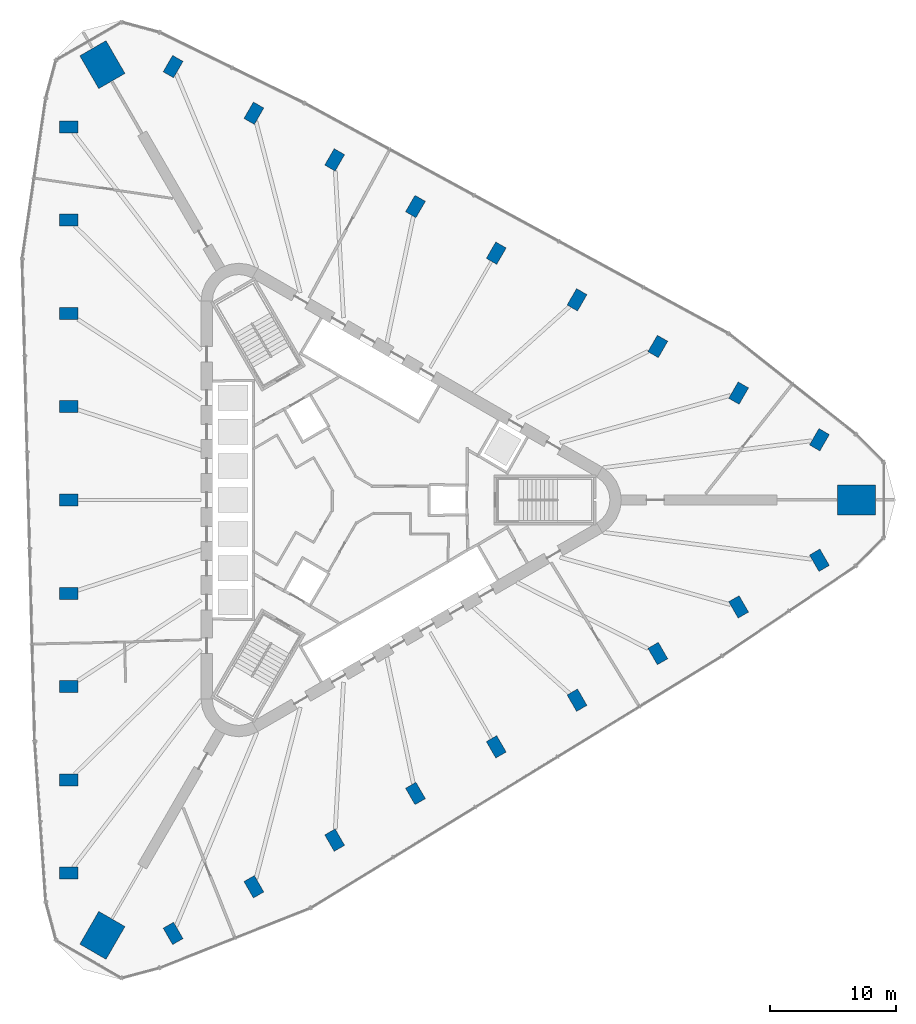
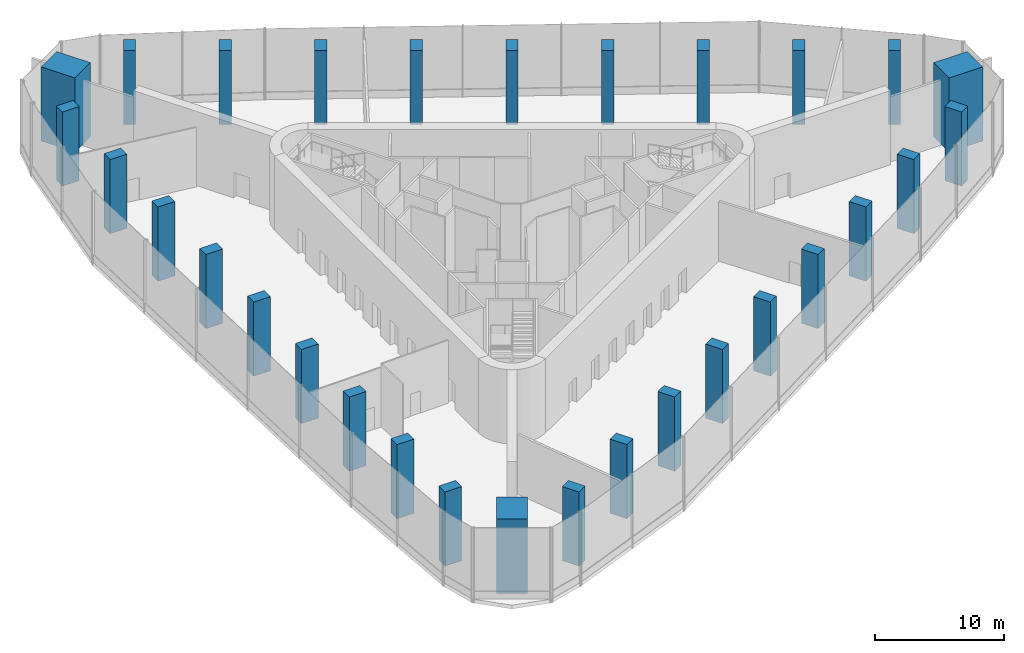
# One storey, part 1 of 15: 30 columns.
"""IFC4 building model written with IfcOpenShell, lengths in metres."""

from ifc_helpers import new_model, si_unit, direction, frame, origin, origin_2d, place, context, subcontext, project, spatial, rectangle, extrude, material, material_profile, profile_set, type_object, element, save


model = new_model("IFC4")

# Units and contexts
model_context = context("Model", 3, precision=1e-05, world=origin(), true_north=direction((0.0, 1.0)))
body_context = subcontext(model_context, "Body", "Model", "MODEL_VIEW")
ifc_project = project(units=[si_unit("LENGTHUNIT", "METRE"), si_unit("AREAUNIT", "SQUARE_METRE"), si_unit("VOLUMEUNIT", "CUBIC_METRE"), si_unit("PLANEANGLEUNIT", "RADIAN"), si_unit("MASSUNIT", "GRAM", prefix="KILO")], contexts=[model_context])

# Site, building, storey
site_placement = place(None, origin())
site = spatial("IfcSite", under=ifc_project, at=site_placement, CompositionType="ELEMENT")
building_placement = place(site_placement, origin())
building = spatial("IfcBuilding", under=site, at=building_placement, Name="Tanit Gate Tower", CompositionType="ELEMENT")
storey_placement = place(building_placement, frame((0.0, 0.0, 156.199951171875)))
storey = spatial("IfcBuildingStorey", under=building, at=storey_placement, Name="L34", CompositionType="ELEMENT", Elevation=156.199951171875)

# Columns
ifc_material_1 = material(Name="Concrete C70/85", Category="concrete")
ifc_material_profile_1 = material_profile(ifc_material_1, rectangle(XDim=3.0, YDim=2.39990234375, at=origin_2d()), Name="RC 3000x2400")
ifc_profile_set_1 = profile_set([ifc_material_profile_1], Name="Concrete C70/85")
column_type_1 = type_object("IfcColumnType", Name="MEGA COLUMN 3000x2400 C70/85", PredefinedType="COLUMN", material=ifc_profile_set_1)
for number, where, z_axis, x_axis, name in (
    (1, (39.830078125, 0.0, 0.0), (0.0, 0.0, 1.0), (1.0, 0.0, 0.0), "MEGA COLUMN"),
    (2, (-19.9150390625, 34.493896484375, 0.0), (0.0, 0.0, 1.0), (-0.5, 0.866025403784, 0.0), "MEGA COLUMN"),
    (3, (-19.9150390625, -34.493896484375, 0.0), (0.0, 0.0, 1.0), (-0.5, -0.866025403784, 0.0), "MEGA COLUMN"),
):
    element("IfcColumn", number, at=place(storey_placement, frame(where, z_axis=z_axis, x_axis=x_axis)), inside=storey, type_object=column_type_1, Name=name, PredefinedType="COLUMN", context=body_context, shape_type="SweptSolid", body=[
        extrude(rectangle(XDim=3.0, YDim=2.39990234375, at=origin_2d()), origin(), (0.0, 0.0, 1.0), 7.0),
    ])
ifc_material_2 = material(Name="Concrete C60/75", Category="concrete")
ifc_material_profile_2 = material_profile(ifc_material_2, rectangle(XDim=1.5, YDim=0.949951171875, at=origin_2d()), Name="RC 1500x950")
ifc_profile_set_2 = profile_set([ifc_material_profile_2], Name="Concrete C60/75")
column_type_2 = type_object("IfcColumnType", Name="PERIMETER COLUMN 1500x950 C60/75", PredefinedType="COLUMN", material=ifc_profile_set_2)
for number, where, z_axis, x_axis, name in (
    (4, (-22.58251953125, 29.56591796875, 0.0), (0.0, 0.0, 1.0), (-1.0, 0.0, 0.0), "PERIMETER COLUMN"),
    (5, (-22.58251953125, 22.17431640625, 0.0), (0.0, 0.0, 1.0), (-1.0, 0.0, 0.0), "PERIMETER COLUMN"),
    (6, (-22.58251953125, 14.782958984375, 0.0), (0.0, 0.0, 1.0), (-1.0, 0.0, 0.0), "PERIMETER COLUMN"),
    (7, (-22.58251953125, 7.391357421875, 0.0), (0.0, 0.0, 1.0), (-1.0, 0.0, 0.0), "PERIMETER COLUMN"),
    (8, (-22.58251953125, 0.0, 0.0), (0.0, 0.0, 1.0), (-1.0, 0.0, 0.0), "PERIMETER COLUMN"),
    (9, (-22.58251953125, -7.391357421875, 0.0), (0.0, 0.0, 1.0), (-1.0, 0.0, 0.0), "PERIMETER COLUMN"),
    (10, (-22.58251953125, -14.782958984375, 0.0), (0.0, 0.0, 1.0), (-1.0, 0.0, 0.0), "PERIMETER COLUMN"),
    (11, (-22.58251953125, -22.17431640625, 0.0), (0.0, 0.0, 1.0), (-1.0, 0.0, 0.0), "PERIMETER COLUMN"),
    (12, (-22.58251953125, -29.56591796875, 0.0), (0.0, 0.0, 1.0), (-1.0, 0.0, 0.0), "PERIMETER COLUMN"),
    (13, (36.89599609375, 4.774169921875, 0.0), (0.0, 0.0, 1.0), (0.5, 0.866025403784, 0.0), "PERIMETER COLUMN"),
    (14, (30.494873046875, 8.4697265625, 0.0), (0.0, 0.0, 1.0), (0.5, 0.866025403784, 0.0), "PERIMETER COLUMN"),
    (15, (24.093505859375, 12.16552734375, 0.0), (0.0, 0.0, 1.0), (0.5, 0.866025403784, 0.0), "PERIMETER COLUMN"),
    (16, (17.6923828125, 15.861083984375, 0.0), (0.0, 0.0, 1.0), (0.5, 0.866025403784, 0.0), "PERIMETER COLUMN"),
    (17, (11.291259765625, 19.556884765625, 0.0), (0.0, 0.0, 1.0), (0.5, 0.866025403784, 0.0), "PERIMETER COLUMN"),
    (18, (4.889892578125, 23.252685546875, 0.0), (0.0, 0.0, 1.0), (0.5, 0.866025403784, 0.0), "PERIMETER COLUMN"),
    (19, (-1.510986328125, 26.948486328125, 0.0), (0.0, 0.0, 1.0), (0.5, 0.866025403784, 0.0), "PERIMETER COLUMN"),
    (20, (-7.912353515625, 30.64404296875, 0.0), (0.0, 0.0, 1.0), (0.5, 0.866025403784, 0.0), "PERIMETER COLUMN"),
    (21, (-14.3134765625, 34.33984375, 0.0), (0.0, 0.0, 1.0), (0.5, 0.866025403784, 0.0), "PERIMETER COLUMN"),
    (22, (-14.3134765625, -34.33984375, 0.0), (0.0, 0.0, 1.0), (0.5, -0.866025403784, 0.0), "PERIMETER COLUMN"),
    (23, (-7.912353515625, -30.64404296875, 0.0), (0.0, 0.0, 1.0), (0.5, -0.866025403784, 0.0), "PERIMETER COLUMN"),
    (24, (-1.510986328125, -26.948486328125, 0.0), (0.0, 0.0, 1.0), (0.5, -0.866025403784, 0.0), "PERIMETER COLUMN"),
    (25, (4.889892578125, -23.252685546875, 0.0), (0.0, 0.0, 1.0), (0.5, -0.866025403784, 0.0), "PERIMETER COLUMN"),
    (26, (11.291259765625, -19.556884765625, 0.0), (0.0, 0.0, 1.0), (0.5, -0.866025403784, 0.0), "PERIMETER COLUMN"),
    (27, (17.6923828125, -15.861083984375, 0.0), (0.0, 0.0, 1.0), (0.5, -0.866025403784, 0.0), "PERIMETER COLUMN"),
    (28, (24.093505859375, -12.16552734375, 0.0), (0.0, 0.0, 1.0), (0.5, -0.866025403784, 0.0), "PERIMETER COLUMN"),
    (29, (30.494873046875, -8.4697265625, 0.0), (0.0, 0.0, 1.0), (0.5, -0.866025403784, 0.0), "PERIMETER COLUMN"),
    (30, (36.89599609375, -4.774169921875, 0.0), (0.0, 0.0, 1.0), (0.5, -0.866025403784, 0.0), "PERIMETER COLUMN"),
):
    element("IfcColumn", number, at=place(storey_placement, frame(where, z_axis=z_axis, x_axis=x_axis)), inside=storey, type_object=column_type_2, Name=name, PredefinedType="COLUMN", context=body_context, shape_type="SweptSolid", body=[
        extrude(rectangle(XDim=1.5, YDim=0.949951171875, at=origin_2d()), origin(), (0.0, 0.0, 1.0), 7.0),
    ])

save(model, "model.ifc")
